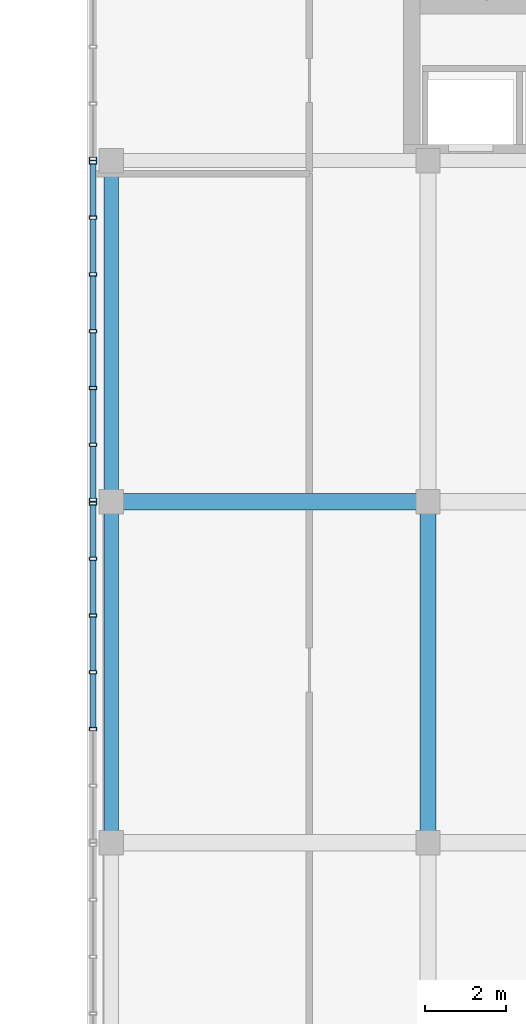
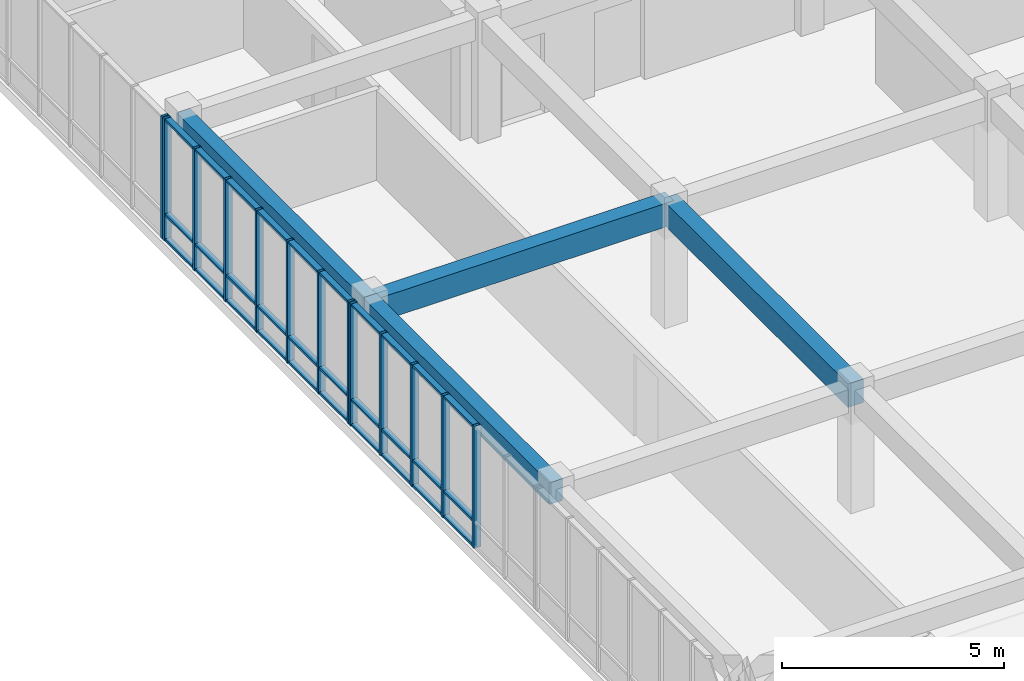
# One storey, part 95 of 144: 43 members, 4 beams, 3 elements without a shape of their own.
"""IFC4 building model written with IfcOpenShell, lengths in metres."""

import ifcopenshell
import ifcopenshell.guid

model = None  # the IFC model being written
_history = None  # IfcOwnerHistory: only IFC2X3 demands one
_inside = {}  # id of a spatial element -> (the spatial element, [elements in it])
_under = {}  # id of a project, library or spatial element -> (it, [spatial elements below it])
_declared = {}  # id of a project -> (the project, [libraries it declares])
_typed = {}  # id of a type object -> (the type object, [elements of that type])
_made_of = {}  # id of a material, layer set ... -> (it, [elements and type objects made of it])


def new_model(schema):
    """Start an empty IFC model of exactly this schema.

    Asked for "IFC4X3", IfcOpenShell would pick the latest addendum, in which some entities
    have other attributes; the version numbers below select the first issue.
    IFC2X3 requires an IfcOwnerHistory on every rooted entity: one is made here for all.
    """
    global model, _history
    if schema == "IFC4X3":
        model = ifcopenshell.file(schema_version=(4, 3, 0, 0))
    else:
        model = ifcopenshell.file(schema=schema)
    _inside.clear()
    _under.clear()
    _declared.clear()
    _typed.clear()
    _made_of.clear()
    _history = None
    if model.schema == "IFC2X3":
        org = make("IfcOrganization", Name="unknown")
        user = make(
            "IfcPersonAndOrganization",
            ThePerson=make("IfcPerson", FamilyName="unknown"),
            TheOrganization=org,
        )
        app = make(
            "IfcApplication",
            ApplicationDeveloper=org,
            Version="unknown",
            ApplicationFullName="unknown",
            ApplicationIdentifier="unknown",
        )
        _history = make(
            "IfcOwnerHistory",
            OwningUser=user,
            OwningApplication=app,
            ChangeAction="ADDED",
            CreationDate=0,
        )
    return model


def make(cls, **values):
    """One entity of the class cls with the attributes given. An attribute that is None is left unset."""
    return model.create_entity(
        cls, **{name: value for name, value in values.items() if value is not None}
    )


def rooted(cls, **values):
    """An entity with a GlobalId (a new one), such as an element, a storey or a relation."""
    return make(cls, GlobalId=ifcopenshell.guid.new(), OwnerHistory=_history, **values)


def si_unit(unit_type, name, prefix=None):
    """IfcSIUnit, for example si_unit("LENGTHUNIT", "METRE", prefix="MILLI")."""
    return make("IfcSIUnit", UnitType=unit_type, Prefix=prefix, Name=name)


def assignment(units):
    """IfcUnitAssignment: the units of a project."""
    return None if units is None else make("IfcUnitAssignment", Units=units)


def point(xyz):
    """IfcCartesianPoint."""
    return None if xyz is None else make("IfcCartesianPoint", Coordinates=xyz)


def direction(xyz):
    """IfcDirection."""
    return None if xyz is None else make("IfcDirection", DirectionRatios=xyz)


def frame(location, z_axis=None, x_axis=None):
    """IfcAxis2Placement3D, a coordinate frame: its origin and axes. An axis left out is left unset."""
    return make(
        "IfcAxis2Placement3D",
        Location=point(location),
        Axis=direction(z_axis),
        RefDirection=direction(x_axis),
    )


def frame_2d(location, x_axis=None):
    """IfcAxis2Placement2D, a coordinate frame in the plane: its origin and x axis."""
    return make(
        "IfcAxis2Placement2D", Location=point(location), RefDirection=direction(x_axis)
    )


def origin():
    """The frame at (0, 0, 0) with its axes left unset."""
    return frame((0.0, 0.0, 0.0))


def origin_2d():
    """The frame at (0, 0) in the plane with its x axis left unset."""
    return frame_2d((0.0, 0.0))


def place(relative_to, where):
    """IfcLocalPlacement: puts the frame where relative to a parent placement (None: the world)."""
    return make(
        "IfcLocalPlacement", PlacementRelTo=relative_to, RelativePlacement=where
    )


def context(
    kind, dimensions, precision=None, world=None, true_north=None, identifier=None
):
    """IfcGeometricRepresentationContext, for example the 3D "Model" context."""
    return make(
        "IfcGeometricRepresentationContext",
        ContextIdentifier=identifier,
        ContextType=kind,
        CoordinateSpaceDimension=dimensions,
        Precision=precision,
        WorldCoordinateSystem=world,
        TrueNorth=true_north,
    )


def subcontext(parent, identifier, kind, view, scale=None):
    """IfcGeometricRepresentationSubContext, for example "Body" below "Model"."""
    return make(
        "IfcGeometricRepresentationSubContext",
        ContextIdentifier=identifier,
        ContextType=kind,
        ParentContext=parent,
        TargetScale=scale,
        TargetView=view,
    )


def project(units=None, contexts=None):
    """IfcProject with its units and contexts."""
    return rooted(
        "IfcProject",
        Name="project",
        RepresentationContexts=contexts,
        UnitsInContext=assignment(units),
    )


def spatial(cls, under=None, at=None, **own):
    """A site, building, storey or space (cls), placed at a placement, below another one or the project."""
    s = rooted(cls, ObjectPlacement=at, **own)
    if under is not None:
        _under.setdefault(under.id(), (under, []))[1].append(s)
    return s


def profile(cls, at=None, kind="AREA", **sizes):
    """A parametric profile (cls). Its sizes go by their IFC names, for example OverallWidth=200.0."""
    return make(cls, ProfileType=kind, Position=at, **sizes)


def rectangle(**sizes):
    """IfcRectangleProfileDef."""
    return profile("IfcRectangleProfileDef", **sizes)


def hollow_rectangle(**sizes):
    """IfcRectangleHollowProfileDef."""
    return profile("IfcRectangleHollowProfileDef", **sizes)


def extrude(swept, where, along, depth):
    """IfcExtrudedAreaSolid: the profile swept, set in the frame where, extruded along a direction by depth."""
    return make(
        "IfcExtrudedAreaSolid",
        SweptArea=swept,
        Position=where,
        ExtrudedDirection=direction(along),
        Depth=depth,
    )


def shape(context_of_items, identifier, shape_type, items):
    """IfcShapeRepresentation: the items that make up one representation, for example the "Body"."""
    return make(
        "IfcShapeRepresentation",
        ContextOfItems=context_of_items,
        RepresentationIdentifier=identifier,
        RepresentationType=shape_type,
        Items=items,
    )


def material(Name=None, Category=None):
    """IfcMaterial."""
    return make("IfcMaterial", Name=Name, Category=Category)


def layer(
    of_material, thickness, ventilated=None, Name=None, Category=None, Priority=None
):
    """IfcMaterialLayer: one layer of a wall or slab, of a material (None: an air gap)."""
    return make(
        "IfcMaterialLayer",
        Material=of_material,
        LayerThickness=thickness,
        IsVentilated=ventilated,
        Name=Name,
        Category=Category,
        Priority=Priority,
    )


def layer_set(layers, Name=None):
    """IfcMaterialLayerSet."""
    return make("IfcMaterialLayerSet", MaterialLayers=layers, LayerSetName=Name)


def material_profile(
    of_material, cross_section, Name=None, Category=None, Priority=None
):
    """IfcMaterialProfile: a cross section and its material."""
    return make(
        "IfcMaterialProfile",
        Name=Name,
        Material=of_material,
        Profile=cross_section,
        Priority=Priority,
        Category=Category,
    )


def profile_set(profiles, Name=None, composite=None):
    """IfcMaterialProfileSet."""
    return make(
        "IfcMaterialProfileSet",
        Name=Name,
        MaterialProfiles=profiles,
        CompositeProfile=composite,
    )


def made_of(thing, what):
    """Note that an element or type object is made of a material, layer set ...; save() writes the relation."""
    if what is not None:
        _made_of.setdefault(what.id(), (what, []))[1].append(thing)
    return thing


def type_object(cls, material=None, **own):
    """A type object (cls), such as IfcWallType, which elements share."""
    return made_of(rooted(cls, **own), material)


def element(
    cls,
    number,
    at=None,
    inside=None,
    cuts=None,
    type_object=None,
    material=None,
    context=None,
    identifier="Body",
    shape_type=None,
    held_by="IfcProductDefinitionShape",
    body=None,
    shapes=None,
    **own,
):
    """One element of the class cls, such as IfcWall. Its Tag is "e" and its number.

    at: its placement. inside: the storey or other place that contains it. cuts: it is an
    opening in that element (IfcRelVoidsElement). A single representation is given by context,
    identifier, shape_type and body (its items); several are given by shapes. held_by: the class
    of the entity that holds the representations. save() writes the other relations.
    """
    e = rooted(cls, Tag="e%d" % number, ObjectPlacement=at, **own)
    if body is not None:
        shapes = [shape(context, identifier, shape_type, body)]
    if shapes is not None:
        e.Representation = make(held_by, Representations=shapes)
    if inside is not None:
        _inside.setdefault(inside.id(), (inside, []))[1].append(e)
    if cuts is not None:
        rooted(
            "IfcRelVoidsElement", RelatingBuildingElement=cuts, RelatedOpeningElement=e
        )
    if type_object is not None:
        _typed.setdefault(type_object.id(), (type_object, []))[1].append(e)
    return made_of(e, material)


def aggregate(whole, parts):
    """IfcRelAggregates: a whole, such as a stair, and the parts it consists of."""
    return rooted("IfcRelAggregates", RelatingObject=whole, RelatedObjects=parts)


def save(model, path):
    """Write the relations noted so far, then the file.

    IfcRelAggregates (storeys below a building ...), IfcRelContainedInSpatialStructure (elements
    in a storey), IfcRelDefinesByType, IfcRelAssociatesMaterial and IfcRelDeclares: one each for
    every whole, place, type object, material and project.
    """
    for whole, parts in _under.values():
        aggregate(whole, parts)
    for where, things in _inside.values():
        rooted(
            "IfcRelContainedInSpatialStructure",
            RelatedElements=things,
            RelatingStructure=where,
        )
    for kind, things in _typed.values():
        rooted("IfcRelDefinesByType", RelatedObjects=things, RelatingType=kind)
    for what, things in _made_of.values():
        rooted("IfcRelAssociatesMaterial", RelatedObjects=things, RelatingMaterial=what)
    for by, libraries in _declared.values():
        rooted("IfcRelDeclares", RelatingContext=by, RelatedDefinitions=libraries)
    model.write(path)


model = new_model("IFC4")

# Units and contexts
model_context = context("Model", 3, precision=1e-05, world=origin(), true_north=direction((0.0, 1.0)))
body_context = subcontext(model_context, "Body", "Model", "MODEL_VIEW")
ifc_project = project(units=[si_unit("LENGTHUNIT", "METRE"), si_unit("AREAUNIT", "SQUARE_METRE"), si_unit("VOLUMEUNIT", "CUBIC_METRE"), si_unit("PLANEANGLEUNIT", "RADIAN"), si_unit("MASSUNIT", "GRAM", prefix="KILO")], contexts=[model_context])

# Site, building, storey
site_placement = place(None, origin())
site = spatial("IfcSite", under=ifc_project, at=site_placement, CompositionType="ELEMENT")
building_placement = place(site_placement, origin())
building = spatial("IfcBuilding", under=site, at=building_placement, Name="Zayran Congress Hotel", CompositionType="ELEMENT")
storey_placement = place(building_placement, frame((0.0, 0.0, 19.199951171875)))
storey = spatial("IfcBuildingStorey", under=building, at=storey_placement, Name="L04", CompositionType="ELEMENT", Elevation=19.199951171875)

# Beams
ifc_material_1 = material(Name="Concrete C40/50", Category="concrete")
ifc_material_profile_1 = material_profile(ifc_material_1, rectangle(XDim=0.39990234375, YDim=0.64990234375, at=origin_2d()), Name="RC 400x650")
ifc_profile_set_1 = profile_set([ifc_material_profile_1], Name="Concrete C40/50")
beam_type_1 = type_object("IfcBeamType", Name="TP-BM-03", PredefinedType="BEAM", material=ifc_profile_set_1)
beam_1_placement = place(storey_placement, frame((109.800048828125, 76.0, 3.03515625), z_axis=(1.0, 0.0, 0.0), x_axis=(0.0, 1.0, 0.0)))
element("IfcBeam", 1, at=beam_1_placement, inside=storey, type_object=beam_type_1, Name="BM-V4-L04-1566", PredefinedType="BEAM", context=body_context, shape_type="SweptSolid", body=[
    extrude(rectangle(XDim=0.39990234375, YDim=0.64990234375, at=origin_2d()), origin(), (0.0, 0.0, 1.0), 7.800048828125),
])
beam_2_placement = place(storey_placement, frame((117.60009765625, 67.60009765625, 3.03515625), z_axis=(0.0, 1.0, 0.0), x_axis=(-1.0, 0.0, 0.0)))
element("IfcBeam", 2, at=beam_2_placement, inside=storey, type_object=beam_type_1, Name="BM-V4-L04-1576", PredefinedType="BEAM", context=body_context, shape_type="SweptSolid", body=[
    extrude(rectangle(XDim=0.39990234375, YDim=0.64990234375, at=origin_2d()), origin(), (0.0, 0.0, 1.0), 8.39990234375),
])
ifc_material_profile_2 = material_profile(ifc_material_1, rectangle(XDim=0.35009765625, YDim=0.60009765625, at=origin_2d()), Name="RC 350x600")
ifc_profile_set_2 = profile_set([ifc_material_profile_2], Name="Concrete C40/50")
beam_type_2 = type_object("IfcBeamType", Name="TP-SP-01", PredefinedType="SPANDREL", material=ifc_profile_set_2)
for number, where, z_axis, x_axis, name in (
    (3, (109.800048828125, 67.60009765625, 3.06005859375), (0.0, 1.0, 0.0), (-1.0, 0.0, 0.0), "BM-V4-L04-1573"),
    (4, (109.800048828125, 76.0, 3.06005859375), (0.0, 1.0, 0.0), (-1.0, 0.0, 0.0), "BM-V4-L04-1574"),
):
    element("IfcBeam", number, at=place(storey_placement, frame(where, z_axis=z_axis, x_axis=x_axis)), inside=storey, type_object=beam_type_2, Name=name, PredefinedType="SPANDREL", context=body_context, shape_type="SweptSolid", body=[
        extrude(rectangle(XDim=0.35009765625, YDim=0.60009765625, at=origin_2d()), origin(), (0.0, 0.0, 1.0), 8.39990234375),
    ])

# Curtain wall, members
ifc_material_2 = material(Name="Anodised aluminium and low-E insulated glass", Category="aluminium")
ifc_layer_1 = layer(ifc_material_2, 0.179931640625)
ifc_layer_set_1 = layer_set([ifc_layer_1], Name="Anodised aluminium and low-E insulated glass")
curtain_wall_type_1 = type_object("IfcCurtainWallType", Name="CW-V4W-L04-CW-53-8390-3360", PredefinedType="USERDEFINED", material=ifc_layer_set_1)
curtain_wall_1_placement = place(storey_placement, origin())
curtain_wall_1 = element("IfcCurtainWall", 5, at=curtain_wall_1_placement, inside=storey, type_object=curtain_wall_type_1, Name="CW-V4W-L04-2", ObjectType="CURTAIN WALL", PredefinedType="USERDEFINED")
ifc_material_3 = material(Name="Anodised aluminium framing", Category="aluminium")
ifc_material_profile_3 = material_profile(ifc_material_3, hollow_rectangle(XDim=0.080078125, YDim=0.179931640625, WallThickness=0.0048828125, at=origin_2d()), Name="RHS 180x80x5")
ifc_profile_set_3 = profile_set([ifc_material_profile_3], Name="Anodised aluminium framing")
member_type_1 = type_object("IfcMemberType", Name="TP-CWM-01", PredefinedType="MULLION", material=ifc_profile_set_3)
member_1_placement = place(storey_placement, frame((109.35009765625, 75.955078125, 0.0), z_axis=(0.0, 0.0, 1.0), x_axis=(0.0, 1.0, 0.0)))
member_1 = element("IfcMember", 6, at=member_1_placement, type_object=member_type_1, Name="CW-V4W-L04-2-M00", PredefinedType="MULLION", context=body_context, shape_type="SweptSolid", body=[
    extrude(hollow_rectangle(XDim=0.080078125, YDim=0.179931640625, WallThickness=0.0048828125, at=origin_2d()), origin(), (0.0, 0.0, 1.0), 3.360107421875),
])
member_2_placement = place(storey_placement, frame((109.35009765625, 74.5966796875, 0.0), z_axis=(0.0, 0.0, 1.0), x_axis=(0.0, 1.0, 0.0)))
member_2 = element("IfcMember", 7, at=member_2_placement, type_object=member_type_1, Name="CW-V4W-L04-2-M01", PredefinedType="MULLION", context=body_context, shape_type="SweptSolid", body=[
    extrude(hollow_rectangle(XDim=0.080078125, YDim=0.179931640625, WallThickness=0.0048828125, at=origin_2d()), origin(), (0.0, 0.0, 1.0), 3.360107421875),
])
member_3_placement = place(storey_placement, frame((109.35009765625, 73.1982421875, 0.0), z_axis=(0.0, 0.0, 1.0), x_axis=(0.0, 1.0, 0.0)))
member_3 = element("IfcMember", 8, at=member_3_placement, type_object=member_type_1, Name="CW-V4W-L04-2-M02", PredefinedType="MULLION", context=body_context, shape_type="SweptSolid", body=[
    extrude(hollow_rectangle(XDim=0.080078125, YDim=0.179931640625, WallThickness=0.0048828125, at=origin_2d()), origin(), (0.0, 0.0, 1.0), 3.360107421875),
])
member_4_placement = place(storey_placement, frame((109.35009765625, 71.800048828125, 0.0), z_axis=(0.0, 0.0, 1.0), x_axis=(0.0, 1.0, 0.0)))
member_4 = element("IfcMember", 9, at=member_4_placement, type_object=member_type_1, Name="CW-V4W-L04-2-M03", PredefinedType="MULLION", context=body_context, shape_type="SweptSolid", body=[
    extrude(hollow_rectangle(XDim=0.080078125, YDim=0.179931640625, WallThickness=0.0048828125, at=origin_2d()), origin(), (0.0, 0.0, 1.0), 3.360107421875),
])
member_5_placement = place(storey_placement, frame((109.35009765625, 70.401611328125, 0.0), z_axis=(0.0, 0.0, 1.0), x_axis=(0.0, 1.0, 0.0)))
member_5 = element("IfcMember", 10, at=member_5_placement, type_object=member_type_1, Name="CW-V4W-L04-2-M04", PredefinedType="MULLION", context=body_context, shape_type="SweptSolid", body=[
    extrude(hollow_rectangle(XDim=0.080078125, YDim=0.179931640625, WallThickness=0.0048828125, at=origin_2d()), origin(), (0.0, 0.0, 1.0), 3.360107421875),
])

ifc_layer_2 = layer(ifc_material_2, 0.179931640625)
ifc_layer_set_2 = layer_set([ifc_layer_2], Name="Anodised aluminium and low-E insulated glass")
curtain_wall_type_2 = type_object("IfcCurtainWallType", Name="CW-V4W-L04-CW-51-8390-3360", PredefinedType="USERDEFINED", material=ifc_layer_set_2)
curtain_wall_2_placement = place(storey_placement, origin())
curtain_wall_2 = element("IfcCurtainWall", 11, at=curtain_wall_2_placement, inside=storey, type_object=curtain_wall_type_2, Name="CW-V4W-L04-3", ObjectType="CURTAIN WALL", PredefinedType="USERDEFINED")
member_6_placement = place(storey_placement, frame((109.35009765625, 84.35498046875, 0.0), z_axis=(0.0, 0.0, 1.0), x_axis=(0.0, 1.0, 0.0)))
member_6 = element("IfcMember", 12, at=member_6_placement, type_object=member_type_1, Name="CW-V4W-L04-3-M00", PredefinedType="MULLION", context=body_context, shape_type="SweptSolid", body=[
    extrude(hollow_rectangle(XDim=0.080078125, YDim=0.179931640625, WallThickness=0.0048828125, at=origin_2d()), origin(), (0.0, 0.0, 1.0), 3.360107421875),
])
member_7_placement = place(storey_placement, frame((109.35009765625, 82.99658203125, 0.0), z_axis=(0.0, 0.0, 1.0), x_axis=(0.0, 1.0, 0.0)))
member_7 = element("IfcMember", 13, at=member_7_placement, type_object=member_type_1, Name="CW-V4W-L04-3-M01", PredefinedType="MULLION", context=body_context, shape_type="SweptSolid", body=[
    extrude(hollow_rectangle(XDim=0.080078125, YDim=0.179931640625, WallThickness=0.0048828125, at=origin_2d()), origin(), (0.0, 0.0, 1.0), 3.360107421875),
])
member_8_placement = place(storey_placement, frame((109.35009765625, 81.598388671875, 0.0), z_axis=(0.0, 0.0, 1.0), x_axis=(0.0, 1.0, 0.0)))
member_8 = element("IfcMember", 14, at=member_8_placement, type_object=member_type_1, Name="CW-V4W-L04-3-M02", PredefinedType="MULLION", context=body_context, shape_type="SweptSolid", body=[
    extrude(hollow_rectangle(XDim=0.080078125, YDim=0.179931640625, WallThickness=0.0048828125, at=origin_2d()), origin(), (0.0, 0.0, 1.0), 3.360107421875),
])
member_9_placement = place(storey_placement, frame((109.35009765625, 80.199951171875, 0.0), z_axis=(0.0, 0.0, 1.0), x_axis=(0.0, 1.0, 0.0)))
member_9 = element("IfcMember", 15, at=member_9_placement, type_object=member_type_1, Name="CW-V4W-L04-3-M03", PredefinedType="MULLION", context=body_context, shape_type="SweptSolid", body=[
    extrude(hollow_rectangle(XDim=0.080078125, YDim=0.179931640625, WallThickness=0.0048828125, at=origin_2d()), origin(), (0.0, 0.0, 1.0), 3.360107421875),
])
member_10_placement = place(storey_placement, frame((109.35009765625, 78.8017578125, 0.0), z_axis=(0.0, 0.0, 1.0), x_axis=(0.0, 1.0, 0.0)))
member_10 = element("IfcMember", 16, at=member_10_placement, type_object=member_type_1, Name="CW-V4W-L04-3-M04", PredefinedType="MULLION", context=body_context, shape_type="SweptSolid", body=[
    extrude(hollow_rectangle(XDim=0.080078125, YDim=0.179931640625, WallThickness=0.0048828125, at=origin_2d()), origin(), (0.0, 0.0, 1.0), 3.360107421875),
])
member_11_placement = place(storey_placement, frame((109.35009765625, 77.4033203125, 0.0), z_axis=(0.0, 0.0, 1.0), x_axis=(0.0, 1.0, 0.0)))
member_11 = element("IfcMember", 17, at=member_11_placement, type_object=member_type_1, Name="CW-V4W-L04-3-M05", PredefinedType="MULLION", context=body_context, shape_type="SweptSolid", body=[
    extrude(hollow_rectangle(XDim=0.080078125, YDim=0.179931640625, WallThickness=0.0048828125, at=origin_2d()), origin(), (0.0, 0.0, 1.0), 3.360107421875),
])
member_12_placement = place(storey_placement, frame((109.35009765625, 76.044921875, 0.0), z_axis=(0.0, 0.0, 1.0), x_axis=(0.0, 1.0, 0.0)))
member_12 = element("IfcMember", 18, at=member_12_placement, type_object=member_type_1, Name="CW-V4W-L04-3-M06", PredefinedType="MULLION", context=body_context, shape_type="SweptSolid", body=[
    extrude(hollow_rectangle(XDim=0.080078125, YDim=0.179931640625, WallThickness=0.0048828125, at=origin_2d()), origin(), (0.0, 0.0, 1.0), 3.360107421875),
])

# Curtain wall, member
ifc_layer_3 = layer(ifc_material_2, 0.179931640625)
ifc_layer_set_3 = layer_set([ifc_layer_3], Name="Anodised aluminium and low-E insulated glass")
curtain_wall_type_3 = type_object("IfcCurtainWallType", Name="CW-V4W-L04-CW-52-8395-3360", PredefinedType="USERDEFINED", material=ifc_layer_set_3)
curtain_wall_3_placement = place(storey_placement, origin())
curtain_wall_3 = element("IfcCurtainWall", 19, at=curtain_wall_3_placement, inside=storey, type_object=curtain_wall_type_3, Name="CW-V4W-L04-4", ObjectType="CURTAIN WALL", PredefinedType="USERDEFINED")
member_13_placement = place(storey_placement, frame((109.35009765625, 84.445068359375, 0.0), z_axis=(0.0, 0.0, 1.0), x_axis=(0.0, 1.0, 0.0)))
member_13 = element("IfcMember", 20, at=member_13_placement, type_object=member_type_1, Name="CW-V4W-L04-4-M06", PredefinedType="MULLION", context=body_context, shape_type="SweptSolid", body=[
    extrude(hollow_rectangle(XDim=0.080078125, YDim=0.179931640625, WallThickness=0.0048828125, at=origin_2d()), origin(), (0.0, 0.0, 1.0), 3.360107421875),
])
aggregate(curtain_wall_3, [member_13])

# Member
ifc_material_profile_4 = material_profile(ifc_material_3, hollow_rectangle(XDim=0.06005859375, YDim=0.14990234375, WallThickness=0.00390625, at=origin_2d()), Name="RHS 150x60x4")
ifc_profile_set_4 = profile_set([ifc_material_profile_4], Name="Anodised aluminium framing")
member_type_2 = type_object("IfcMemberType", Name="TP-CWT-01", PredefinedType="USERDEFINED", material=ifc_profile_set_4)
member_14_placement = place(storey_placement, frame((109.35009765625, 75.9150390625, 0.030029296875), z_axis=(0.0, -1.0, 0.0), x_axis=(0.0, 0.0, 1.0)))
member_14 = element("IfcMember", 21, at=member_14_placement, type_object=member_type_2, Name="CW-V4W-L04-2-T00-0", ObjectType="TRANSOM", PredefinedType="USERDEFINED", context=body_context, shape_type="SweptSolid", body=[
    extrude(hollow_rectangle(XDim=0.06005859375, YDim=0.14990234375, WallThickness=0.00390625, at=origin_2d()), origin(), (0.0, 0.0, 1.0), 1.2783203125),
])

member_15_placement = place(storey_placement, frame((109.35009765625, 75.9150390625, 0.719970703125), z_axis=(0.0, -1.0, 0.0), x_axis=(0.0, 0.0, 1.0)))
member_15 = element("IfcMember", 22, at=member_15_placement, type_object=member_type_2, Name="CW-V4W-L04-2-T00-1", ObjectType="TRANSOM", PredefinedType="USERDEFINED", context=body_context, shape_type="SweptSolid", body=[
    extrude(hollow_rectangle(XDim=0.06005859375, YDim=0.14990234375, WallThickness=0.00390625, at=origin_2d()), origin(), (0.0, 0.0, 1.0), 1.2783203125),
])

member_16_placement = place(storey_placement, frame((109.35009765625, 75.9150390625, 3.330078125), z_axis=(0.0, -1.0, 0.0), x_axis=(0.0, 0.0, 1.0)))
member_16 = element("IfcMember", 23, at=member_16_placement, type_object=member_type_2, Name="CW-V4W-L04-2-T00-2", ObjectType="TRANSOM", PredefinedType="USERDEFINED", context=body_context, shape_type="SweptSolid", body=[
    extrude(hollow_rectangle(XDim=0.06005859375, YDim=0.14990234375, WallThickness=0.00390625, at=origin_2d()), origin(), (0.0, 0.0, 1.0), 1.2783203125),
])

member_17_placement = place(storey_placement, frame((109.35009765625, 74.556640625, 0.030029296875), z_axis=(0.0, -1.0, 0.0), x_axis=(0.0, 0.0, 1.0)))
member_17 = element("IfcMember", 24, at=member_17_placement, type_object=member_type_2, Name="CW-V4W-L04-2-T01-0", ObjectType="TRANSOM", PredefinedType="USERDEFINED", context=body_context, shape_type="SweptSolid", body=[
    extrude(hollow_rectangle(XDim=0.06005859375, YDim=0.14990234375, WallThickness=0.00390625, at=origin_2d()), origin(), (0.0, 0.0, 1.0), 1.318359375),
])

member_18_placement = place(storey_placement, frame((109.35009765625, 74.556640625, 0.719970703125), z_axis=(0.0, -1.0, 0.0), x_axis=(0.0, 0.0, 1.0)))
member_18 = element("IfcMember", 25, at=member_18_placement, type_object=member_type_2, Name="CW-V4W-L04-2-T01-1", ObjectType="TRANSOM", PredefinedType="USERDEFINED", context=body_context, shape_type="SweptSolid", body=[
    extrude(hollow_rectangle(XDim=0.06005859375, YDim=0.14990234375, WallThickness=0.00390625, at=origin_2d()), origin(), (0.0, 0.0, 1.0), 1.318359375),
])

member_19_placement = place(storey_placement, frame((109.35009765625, 74.556640625, 3.330078125), z_axis=(0.0, -1.0, 0.0), x_axis=(0.0, 0.0, 1.0)))
member_19 = element("IfcMember", 26, at=member_19_placement, type_object=member_type_2, Name="CW-V4W-L04-2-T01-2", ObjectType="TRANSOM", PredefinedType="USERDEFINED", context=body_context, shape_type="SweptSolid", body=[
    extrude(hollow_rectangle(XDim=0.06005859375, YDim=0.14990234375, WallThickness=0.00390625, at=origin_2d()), origin(), (0.0, 0.0, 1.0), 1.318359375),
])

member_20_placement = place(storey_placement, frame((109.35009765625, 73.158203125, 0.030029296875), z_axis=(0.0, -1.0, 0.0), x_axis=(0.0, 0.0, 1.0)))
member_20 = element("IfcMember", 27, at=member_20_placement, type_object=member_type_2, Name="CW-V4W-L04-2-T02-0", ObjectType="TRANSOM", PredefinedType="USERDEFINED", context=body_context, shape_type="SweptSolid", body=[
    extrude(hollow_rectangle(XDim=0.06005859375, YDim=0.14990234375, WallThickness=0.00390625, at=origin_2d()), origin(), (0.0, 0.0, 1.0), 1.318115234375),
])

member_21_placement = place(storey_placement, frame((109.35009765625, 73.158203125, 0.719970703125), z_axis=(0.0, -1.0, 0.0), x_axis=(0.0, 0.0, 1.0)))
member_21 = element("IfcMember", 28, at=member_21_placement, type_object=member_type_2, Name="CW-V4W-L04-2-T02-1", ObjectType="TRANSOM", PredefinedType="USERDEFINED", context=body_context, shape_type="SweptSolid", body=[
    extrude(hollow_rectangle(XDim=0.06005859375, YDim=0.14990234375, WallThickness=0.00390625, at=origin_2d()), origin(), (0.0, 0.0, 1.0), 1.318115234375),
])

member_22_placement = place(storey_placement, frame((109.35009765625, 73.158203125, 3.330078125), z_axis=(0.0, -1.0, 0.0), x_axis=(0.0, 0.0, 1.0)))
member_22 = element("IfcMember", 29, at=member_22_placement, type_object=member_type_2, Name="CW-V4W-L04-2-T02-2", ObjectType="TRANSOM", PredefinedType="USERDEFINED", context=body_context, shape_type="SweptSolid", body=[
    extrude(hollow_rectangle(XDim=0.06005859375, YDim=0.14990234375, WallThickness=0.00390625, at=origin_2d()), origin(), (0.0, 0.0, 1.0), 1.318115234375),
])

member_23_placement = place(storey_placement, frame((109.35009765625, 71.760009765625, 0.030029296875), z_axis=(0.0, -1.0, 0.0), x_axis=(0.0, 0.0, 1.0)))
member_23 = element("IfcMember", 30, at=member_23_placement, type_object=member_type_2, Name="CW-V4W-L04-2-T03-0", ObjectType="TRANSOM", PredefinedType="USERDEFINED", context=body_context, shape_type="SweptSolid", body=[
    extrude(hollow_rectangle(XDim=0.06005859375, YDim=0.14990234375, WallThickness=0.00390625, at=origin_2d()), origin(), (0.0, 0.0, 1.0), 1.318359375),
])

member_24_placement = place(storey_placement, frame((109.35009765625, 71.760009765625, 0.719970703125), z_axis=(0.0, -1.0, 0.0), x_axis=(0.0, 0.0, 1.0)))
member_24 = element("IfcMember", 31, at=member_24_placement, type_object=member_type_2, Name="CW-V4W-L04-2-T03-1", ObjectType="TRANSOM", PredefinedType="USERDEFINED", context=body_context, shape_type="SweptSolid", body=[
    extrude(hollow_rectangle(XDim=0.06005859375, YDim=0.14990234375, WallThickness=0.00390625, at=origin_2d()), origin(), (0.0, 0.0, 1.0), 1.318359375),
])

member_25_placement = place(storey_placement, frame((109.35009765625, 71.760009765625, 3.330078125), z_axis=(0.0, -1.0, 0.0), x_axis=(0.0, 0.0, 1.0)))
member_25 = element("IfcMember", 32, at=member_25_placement, type_object=member_type_2, Name="CW-V4W-L04-2-T03-2", ObjectType="TRANSOM", PredefinedType="USERDEFINED", context=body_context, shape_type="SweptSolid", body=[
    extrude(hollow_rectangle(XDim=0.06005859375, YDim=0.14990234375, WallThickness=0.00390625, at=origin_2d()), origin(), (0.0, 0.0, 1.0), 1.318359375),
])

aggregate(curtain_wall_1, [member_1, member_2, member_3, member_4, member_5, member_14, member_15, member_16, member_17, member_18, member_19, member_20, member_21, member_22, member_23, member_24, member_25])

member_26_placement = place(storey_placement, frame((109.35009765625, 84.31494140625, 0.030029296875), z_axis=(0.0, -1.0, 0.0), x_axis=(0.0, 0.0, 1.0)))
member_26 = element("IfcMember", 33, at=member_26_placement, type_object=member_type_2, Name="CW-V4W-L04-3-T00-0", ObjectType="TRANSOM", PredefinedType="USERDEFINED", context=body_context, shape_type="SweptSolid", body=[
    extrude(hollow_rectangle(XDim=0.06005859375, YDim=0.14990234375, WallThickness=0.00390625, at=origin_2d()), origin(), (0.0, 0.0, 1.0), 1.2783203125),
])

member_27_placement = place(storey_placement, frame((109.35009765625, 84.31494140625, 0.719970703125), z_axis=(0.0, -1.0, 0.0), x_axis=(0.0, 0.0, 1.0)))
member_27 = element("IfcMember", 34, at=member_27_placement, type_object=member_type_2, Name="CW-V4W-L04-3-T00-1", ObjectType="TRANSOM", PredefinedType="USERDEFINED", context=body_context, shape_type="SweptSolid", body=[
    extrude(hollow_rectangle(XDim=0.06005859375, YDim=0.14990234375, WallThickness=0.00390625, at=origin_2d()), origin(), (0.0, 0.0, 1.0), 1.2783203125),
])

member_28_placement = place(storey_placement, frame((109.35009765625, 84.31494140625, 3.330078125), z_axis=(0.0, -1.0, 0.0), x_axis=(0.0, 0.0, 1.0)))
member_28 = element("IfcMember", 35, at=member_28_placement, type_object=member_type_2, Name="CW-V4W-L04-3-T00-2", ObjectType="TRANSOM", PredefinedType="USERDEFINED", context=body_context, shape_type="SweptSolid", body=[
    extrude(hollow_rectangle(XDim=0.06005859375, YDim=0.14990234375, WallThickness=0.00390625, at=origin_2d()), origin(), (0.0, 0.0, 1.0), 1.2783203125),
])

member_29_placement = place(storey_placement, frame((109.35009765625, 82.956787109375, 0.030029296875), z_axis=(0.0, -1.0, 0.0), x_axis=(0.0, 0.0, 1.0)))
member_29 = element("IfcMember", 36, at=member_29_placement, type_object=member_type_2, Name="CW-V4W-L04-3-T01-0", ObjectType="TRANSOM", PredefinedType="USERDEFINED", context=body_context, shape_type="SweptSolid", body=[
    extrude(hollow_rectangle(XDim=0.06005859375, YDim=0.14990234375, WallThickness=0.00390625, at=origin_2d()), origin(), (0.0, 0.0, 1.0), 1.318603515625),
])

member_30_placement = place(storey_placement, frame((109.35009765625, 82.956787109375, 0.719970703125), z_axis=(0.0, -1.0, 0.0), x_axis=(0.0, 0.0, 1.0)))
member_30 = element("IfcMember", 37, at=member_30_placement, type_object=member_type_2, Name="CW-V4W-L04-3-T01-1", ObjectType="TRANSOM", PredefinedType="USERDEFINED", context=body_context, shape_type="SweptSolid", body=[
    extrude(hollow_rectangle(XDim=0.06005859375, YDim=0.14990234375, WallThickness=0.00390625, at=origin_2d()), origin(), (0.0, 0.0, 1.0), 1.318603515625),
])

member_31_placement = place(storey_placement, frame((109.35009765625, 82.956787109375, 3.330078125), z_axis=(0.0, -1.0, 0.0), x_axis=(0.0, 0.0, 1.0)))
member_31 = element("IfcMember", 38, at=member_31_placement, type_object=member_type_2, Name="CW-V4W-L04-3-T01-2", ObjectType="TRANSOM", PredefinedType="USERDEFINED", context=body_context, shape_type="SweptSolid", body=[
    extrude(hollow_rectangle(XDim=0.06005859375, YDim=0.14990234375, WallThickness=0.00390625, at=origin_2d()), origin(), (0.0, 0.0, 1.0), 1.318603515625),
])

member_32_placement = place(storey_placement, frame((109.35009765625, 81.558349609375, 0.030029296875), z_axis=(0.0, -1.0, 0.0), x_axis=(0.0, 0.0, 1.0)))
member_32 = element("IfcMember", 39, at=member_32_placement, type_object=member_type_2, Name="CW-V4W-L04-3-T02-0", ObjectType="TRANSOM", PredefinedType="USERDEFINED", context=body_context, shape_type="SweptSolid", body=[
    extrude(hollow_rectangle(XDim=0.06005859375, YDim=0.14990234375, WallThickness=0.00390625, at=origin_2d()), origin(), (0.0, 0.0, 1.0), 1.318359375),
])

member_33_placement = place(storey_placement, frame((109.35009765625, 81.558349609375, 0.719970703125), z_axis=(0.0, -1.0, 0.0), x_axis=(0.0, 0.0, 1.0)))
member_33 = element("IfcMember", 40, at=member_33_placement, type_object=member_type_2, Name="CW-V4W-L04-3-T02-1", ObjectType="TRANSOM", PredefinedType="USERDEFINED", context=body_context, shape_type="SweptSolid", body=[
    extrude(hollow_rectangle(XDim=0.06005859375, YDim=0.14990234375, WallThickness=0.00390625, at=origin_2d()), origin(), (0.0, 0.0, 1.0), 1.318359375),
])

member_34_placement = place(storey_placement, frame((109.35009765625, 81.558349609375, 3.330078125), z_axis=(0.0, -1.0, 0.0), x_axis=(0.0, 0.0, 1.0)))
member_34 = element("IfcMember", 41, at=member_34_placement, type_object=member_type_2, Name="CW-V4W-L04-3-T02-2", ObjectType="TRANSOM", PredefinedType="USERDEFINED", context=body_context, shape_type="SweptSolid", body=[
    extrude(hollow_rectangle(XDim=0.06005859375, YDim=0.14990234375, WallThickness=0.00390625, at=origin_2d()), origin(), (0.0, 0.0, 1.0), 1.318359375),
])

member_35_placement = place(storey_placement, frame((109.35009765625, 80.159912109375, 0.030029296875), z_axis=(0.0, -1.0, 0.0), x_axis=(0.0, 0.0, 1.0)))
member_35 = element("IfcMember", 42, at=member_35_placement, type_object=member_type_2, Name="CW-V4W-L04-3-T03-0", ObjectType="TRANSOM", PredefinedType="USERDEFINED", context=body_context, shape_type="SweptSolid", body=[
    extrude(hollow_rectangle(XDim=0.06005859375, YDim=0.14990234375, WallThickness=0.00390625, at=origin_2d()), origin(), (0.0, 0.0, 1.0), 1.318115234375),
])

member_36_placement = place(storey_placement, frame((109.35009765625, 80.159912109375, 0.719970703125), z_axis=(0.0, -1.0, 0.0), x_axis=(0.0, 0.0, 1.0)))
member_36 = element("IfcMember", 43, at=member_36_placement, type_object=member_type_2, Name="CW-V4W-L04-3-T03-1", ObjectType="TRANSOM", PredefinedType="USERDEFINED", context=body_context, shape_type="SweptSolid", body=[
    extrude(hollow_rectangle(XDim=0.06005859375, YDim=0.14990234375, WallThickness=0.00390625, at=origin_2d()), origin(), (0.0, 0.0, 1.0), 1.318115234375),
])

member_37_placement = place(storey_placement, frame((109.35009765625, 80.159912109375, 3.330078125), z_axis=(0.0, -1.0, 0.0), x_axis=(0.0, 0.0, 1.0)))
member_37 = element("IfcMember", 44, at=member_37_placement, type_object=member_type_2, Name="CW-V4W-L04-3-T03-2", ObjectType="TRANSOM", PredefinedType="USERDEFINED", context=body_context, shape_type="SweptSolid", body=[
    extrude(hollow_rectangle(XDim=0.06005859375, YDim=0.14990234375, WallThickness=0.00390625, at=origin_2d()), origin(), (0.0, 0.0, 1.0), 1.318115234375),
])

member_38_placement = place(storey_placement, frame((109.35009765625, 78.76171875, 0.030029296875), z_axis=(0.0, -1.0, 0.0), x_axis=(0.0, 0.0, 1.0)))
member_38 = element("IfcMember", 45, at=member_38_placement, type_object=member_type_2, Name="CW-V4W-L04-3-T04-0", ObjectType="TRANSOM", PredefinedType="USERDEFINED", context=body_context, shape_type="SweptSolid", body=[
    extrude(hollow_rectangle(XDim=0.06005859375, YDim=0.14990234375, WallThickness=0.00390625, at=origin_2d()), origin(), (0.0, 0.0, 1.0), 1.318359375),
])

member_39_placement = place(storey_placement, frame((109.35009765625, 78.76171875, 0.719970703125), z_axis=(0.0, -1.0, 0.0), x_axis=(0.0, 0.0, 1.0)))
member_39 = element("IfcMember", 46, at=member_39_placement, type_object=member_type_2, Name="CW-V4W-L04-3-T04-1", ObjectType="TRANSOM", PredefinedType="USERDEFINED", context=body_context, shape_type="SweptSolid", body=[
    extrude(hollow_rectangle(XDim=0.06005859375, YDim=0.14990234375, WallThickness=0.00390625, at=origin_2d()), origin(), (0.0, 0.0, 1.0), 1.318359375),
])

member_40_placement = place(storey_placement, frame((109.35009765625, 78.76171875, 3.330078125), z_axis=(0.0, -1.0, 0.0), x_axis=(0.0, 0.0, 1.0)))
member_40 = element("IfcMember", 47, at=member_40_placement, type_object=member_type_2, Name="CW-V4W-L04-3-T04-2", ObjectType="TRANSOM", PredefinedType="USERDEFINED", context=body_context, shape_type="SweptSolid", body=[
    extrude(hollow_rectangle(XDim=0.06005859375, YDim=0.14990234375, WallThickness=0.00390625, at=origin_2d()), origin(), (0.0, 0.0, 1.0), 1.318359375),
])

member_41_placement = place(storey_placement, frame((109.35009765625, 77.36328125, 0.030029296875), z_axis=(0.0, -1.0, 0.0), x_axis=(0.0, 0.0, 1.0)))
member_41 = element("IfcMember", 48, at=member_41_placement, type_object=member_type_2, Name="CW-V4W-L04-3-T05-0", ObjectType="TRANSOM", PredefinedType="USERDEFINED", context=body_context, shape_type="SweptSolid", body=[
    extrude(hollow_rectangle(XDim=0.06005859375, YDim=0.14990234375, WallThickness=0.00390625, at=origin_2d()), origin(), (0.0, 0.0, 1.0), 1.2783203125),
])

member_42_placement = place(storey_placement, frame((109.35009765625, 77.36328125, 0.719970703125), z_axis=(0.0, -1.0, 0.0), x_axis=(0.0, 0.0, 1.0)))
member_42 = element("IfcMember", 49, at=member_42_placement, type_object=member_type_2, Name="CW-V4W-L04-3-T05-1", ObjectType="TRANSOM", PredefinedType="USERDEFINED", context=body_context, shape_type="SweptSolid", body=[
    extrude(hollow_rectangle(XDim=0.06005859375, YDim=0.14990234375, WallThickness=0.00390625, at=origin_2d()), origin(), (0.0, 0.0, 1.0), 1.2783203125),
])

member_43_placement = place(storey_placement, frame((109.35009765625, 77.36328125, 3.330078125), z_axis=(0.0, -1.0, 0.0), x_axis=(0.0, 0.0, 1.0)))
member_43 = element("IfcMember", 50, at=member_43_placement, type_object=member_type_2, Name="CW-V4W-L04-3-T05-2", ObjectType="TRANSOM", PredefinedType="USERDEFINED", context=body_context, shape_type="SweptSolid", body=[
    extrude(hollow_rectangle(XDim=0.06005859375, YDim=0.14990234375, WallThickness=0.00390625, at=origin_2d()), origin(), (0.0, 0.0, 1.0), 1.2783203125),
])

aggregate(curtain_wall_2, [member_6, member_7, member_8, member_9, member_10, member_11, member_12, member_26, member_27, member_28, member_29, member_30, member_31, member_32, member_33, member_34, member_35, member_36, member_37, member_38, member_39, member_40, member_41, member_42, member_43])

save(model, "model.ifc")
